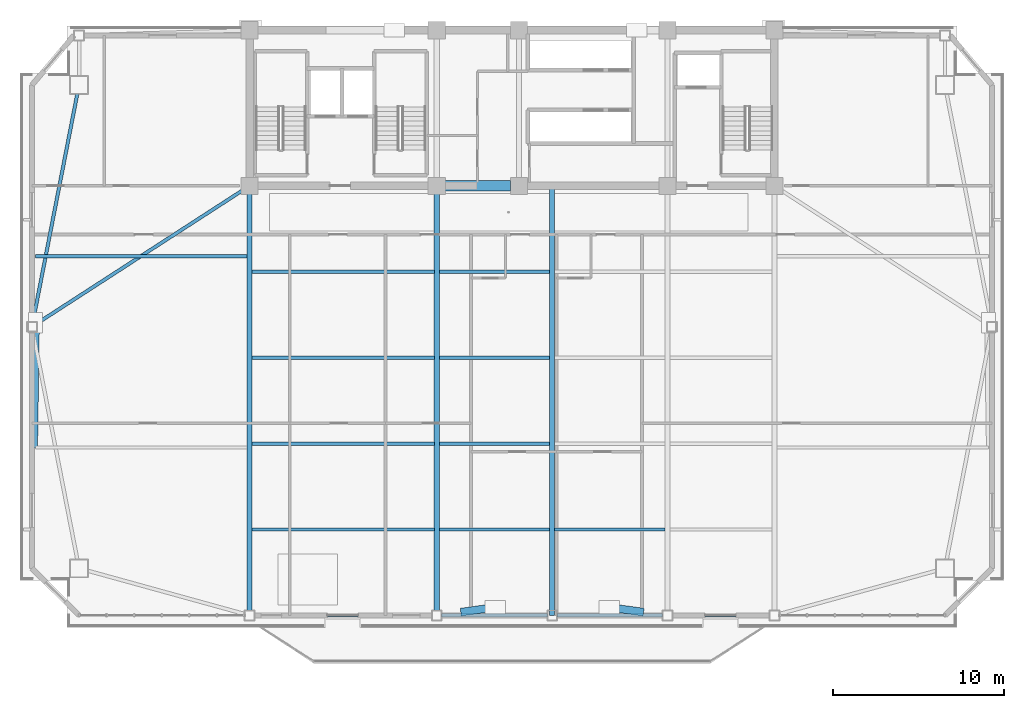
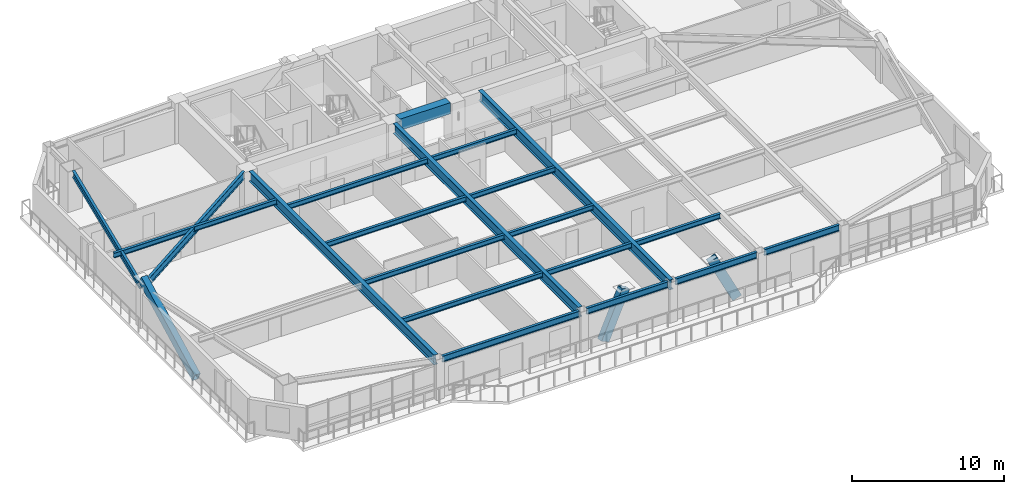
# One storey, part 3 of 17: 20 beams, 3 members.
"""IFC4 building model written with IfcOpenShell, lengths in metres."""

from ifc_helpers import new_model, si_unit, direction, frame, origin, origin_2d, place, context, subcontext, project, spatial, rectangle, hollow_rectangle, i_section, extrude, source, transform, mapped, material, material_profile, profile_set, type_object, element, save


model = new_model("IFC4")

# Units and contexts
model_context = context("Model", 3, precision=1e-05, world=origin(), true_north=direction((0.0, 1.0)))
body_context = subcontext(model_context, "Body", "Model", "MODEL_VIEW")
ifc_project = project(units=[si_unit("LENGTHUNIT", "METRE"), si_unit("AREAUNIT", "SQUARE_METRE"), si_unit("VOLUMEUNIT", "CUBIC_METRE"), si_unit("PLANEANGLEUNIT", "RADIAN"), si_unit("MASSUNIT", "GRAM", prefix="KILO")], contexts=[model_context])

# Site, building, storey
site_placement = place(None, origin())
site = spatial("IfcSite", under=ifc_project, at=site_placement, CompositionType="ELEMENT")
building_placement = place(site_placement, origin())
building = spatial("IfcBuilding", under=site, at=building_placement, Name="Giltprow Tower", CompositionType="ELEMENT")
storey_placement = place(building_placement, frame((0.0, 0.0, 216.699951171875)))
storey = spatial("IfcBuildingStorey", under=building, at=storey_placement, Name="L55", CompositionType="ELEMENT", Elevation=216.699951171875)

# Beams
ifc_material_1 = material(Name="Structural steel Q355B", Category="steel")
ifc_material_profile_1 = material_profile(ifc_material_1, i_section(OverallWidth=0.199951171875, OverallDepth=0.5, WebThickness=0.010009765625, FlangeThickness=0.01611328125, at=origin_2d()), Name="HN 500x200x10x16")
ifc_profile_set_1 = profile_set([ifc_material_profile_1], Name="Structural steel Q355B")
beam_type_1 = type_object("IfcBeamType", Name="BM-SPAN-HN500", PredefinedType="SPANDREL", material=ifc_profile_set_1)
shared_shape_1 = source(origin(), body_context, "Body", "SweptSolid", [
    extrude(i_section(OverallWidth=0.199951171875, OverallDepth=0.5, WebThickness=0.010009765625, FlangeThickness=0.01611328125, at=origin_2d()), origin(), (0.0, 0.0, 1.0), 5.679931640625),
])
beam_1_placement = place(storey_placement, frame((44.5849609375, 12.318115234375, 2.989990234375), z_axis=(1.0, 0.0, 0.0), x_axis=(0.0, 1.0, 0.0)))
element("IfcBeam", 1, at=beam_1_placement, inside=storey, type_object=beam_type_1, Name="L55 Perimeter Spandrel Beam S3-S4", PredefinedType="SPANDREL", context=body_context, shape_type="MappedRepresentation", body=[
    mapped(shared_shape_1, transform((0.0, 0.0, 0.0), x_axis=(1.0, 0.0, 0.0), y_axis=(0.0, 1.0, 0.0), z_axis=(0.0, 0.0, 1.0), scale=1.0)),
])
ifc_material_2 = material(Name="Concrete C50", Category="concrete")
ifc_material_profile_2 = material_profile(ifc_material_2, rectangle(XDim=0.60009765625, YDim=0.89990234375, at=origin_2d()), Name="RC 900x600")
ifc_profile_set_2 = profile_set([ifc_material_profile_2], Name="Concrete C50")
beam_type_2 = type_object("IfcBeamType", Name="BM-CPL-RC900", PredefinedType="LINTEL", material=ifc_profile_set_2)
shared_shape_2 = source(origin(), body_context, "Body", "SweptSolid", [
    extrude(rectangle(XDim=0.60009765625, YDim=0.89990234375, at=origin_2d()), origin(), (0.0, 0.0, 1.0), 3.830078125),
])
beam_2_placement = place(storey_placement, frame((31.284912109375, 37.449951171875, 2.7900390625), z_axis=(1.0, 0.0, 0.0), x_axis=(0.0, 1.0, 0.0)))
element("IfcBeam", 2, at=beam_2_placement, inside=storey, type_object=beam_type_2, Name="L55 Core Coupling Beam CB-1", PredefinedType="LINTEL", context=body_context, shape_type="MappedRepresentation", body=[
    mapped(shared_shape_2, transform((0.0, 0.0, 0.0), x_axis=(1.0, 0.0, 0.0), y_axis=(0.0, 1.0, 0.0), z_axis=(0.0, 0.0, 1.0), scale=1.0)),
])
shared_shape_3 = source(origin(), body_context, "Body", "SweptSolid", [
    extrude(i_section(OverallWidth=0.199951171875, OverallDepth=0.5, WebThickness=0.010009765625, FlangeThickness=0.01611328125, at=origin_2d()), origin(), (0.0, 0.0, 1.0), 10.3798828125),
])
beam_3_placement = place(storey_placement, frame((20.135009765625, 12.318115234375, 2.989990234375), z_axis=(1.0, 0.0, 0.0), x_axis=(0.0, 1.0, 0.0)))
element("IfcBeam", 3, at=beam_3_placement, inside=storey, type_object=beam_type_1, Name="L55 Perimeter Spandrel Beam S1-S2", PredefinedType="SPANDREL", context=body_context, shape_type="MappedRepresentation", body=[
    mapped(shared_shape_3, transform((0.0, 0.0, 0.0), x_axis=(1.0, 0.0, 0.0), y_axis=(0.0, 1.0, 0.0), z_axis=(0.0, 0.0, 1.0), scale=1.0)),
])
shared_shape_4 = source(origin(), body_context, "Body", "SweptSolid", [
    extrude(i_section(OverallWidth=0.199951171875, OverallDepth=0.5, WebThickness=0.010009765625, FlangeThickness=0.01611328125, at=origin_2d()), origin(), (0.0, 0.0, 1.0), 6.179931640625),
])
for number, where, z_axis, x_axis, name in (
    (4, (31.0849609375, 12.318115234375, 2.989990234375), (1.0, 0.0, 0.0), (0.0, 1.0, 0.0), "L55 Perimeter Spandrel Beam S2-S_MID"),
    (5, (37.8349609375, 12.318115234375, 2.989990234375), (1.0, 0.0, 0.0), (0.0, 1.0, 0.0), "L55 Perimeter Spandrel Beam S_MID-S3"),
):
    element("IfcBeam", number, at=place(storey_placement, frame(where, z_axis=z_axis, x_axis=x_axis)), inside=storey, type_object=beam_type_1, Name=name, PredefinedType="SPANDREL", context=body_context, shape_type="MappedRepresentation", body=[
        mapped(shared_shape_4, transform((0.0, 0.0, 0.0), x_axis=(1.0, 0.0, 0.0), y_axis=(0.0, 1.0, 0.0), z_axis=(0.0, 0.0, 1.0), scale=1.0)),
    ])
ifc_material_profile_3 = material_profile(ifc_material_1, i_section(OverallWidth=0.199951171875, OverallDepth=0.39990234375, WebThickness=0.008056640625, FlangeThickness=0.012939453125, at=origin_2d()), Name="HN 400x200x8x13")
ifc_profile_set_3 = profile_set([ifc_material_profile_3], Name="Structural steel Q355B")
beam_type_3 = type_object("IfcBeamType", Name="BM-JOIST-HN400", PredefinedType="JOIST", material=ifc_profile_set_3)
shared_shape_5 = source(origin(), body_context, "Body", "SweptSolid", [
    extrude(i_section(OverallWidth=0.199951171875, OverallDepth=0.39990234375, WebThickness=0.008056640625, FlangeThickness=0.012939453125, at=origin_2d()), origin(), (0.0, 0.0, 1.0), 10.659912109375),
])
for number, where, z_axis, x_axis, name in (
    (6, (19.9951171875, 17.343994140625, 3.0400390625), (1.0, 0.0, 0.0), (0.0, 1.0, 0.0), "L55 Composite Floor Joist 1-1"),
    (7, (19.9951171875, 22.37109375, 3.0400390625), (1.0, 0.0, 0.0), (0.0, 1.0, 0.0), "L55 Composite Floor Joist 2-1"),
    (8, (19.9951171875, 27.39697265625, 3.0400390625), (1.0, 0.0, 0.0), (0.0, 1.0, 0.0), "L55 Composite Floor Joist 3-1"),
    (9, (19.9951171875, 32.424072265625, 3.0400390625), (1.0, 0.0, 0.0), (0.0, 1.0, 0.0), "L55 Composite Floor Joist 4-1"),
):
    element("IfcBeam", number, at=place(storey_placement, frame(where, z_axis=z_axis, x_axis=x_axis)), inside=storey, type_object=beam_type_3, Name=name, PredefinedType="JOIST", context=body_context, shape_type="MappedRepresentation", body=[
        mapped(shared_shape_5, transform((0.0, 0.0, 0.0), x_axis=(1.0, 0.0, 0.0), y_axis=(0.0, 1.0, 0.0), z_axis=(0.0, 0.0, 1.0), scale=1.0)),
    ])
shared_shape_6 = source(origin(), body_context, "Body", "SweptSolid", [
    extrude(i_section(OverallWidth=0.199951171875, OverallDepth=0.39990234375, WebThickness=0.008056640625, FlangeThickness=0.012939453125, at=origin_2d()), origin(), (0.0, 0.0, 1.0), 6.4599609375),
])
for number, where, z_axis, x_axis, name in (
    (10, (30.945068359375, 17.343994140625, 3.0400390625), (1.0, 0.0, 0.0), (0.0, 1.0, 0.0), "L55 Composite Floor Joist 1-2"),
    (11, (37.695068359375, 17.343994140625, 3.0400390625), (1.0, 0.0, 0.0), (0.0, 1.0, 0.0), "L55 Composite Floor Joist 1-3"),
    (12, (30.945068359375, 22.37109375, 3.0400390625), (1.0, 0.0, 0.0), (0.0, 1.0, 0.0), "L55 Composite Floor Joist 2-2"),
    (13, (30.945068359375, 27.39697265625, 3.0400390625), (1.0, 0.0, 0.0), (0.0, 1.0, 0.0), "L55 Composite Floor Joist 3-2"),
    (14, (30.945068359375, 32.424072265625, 3.0400390625), (1.0, 0.0, 0.0), (0.0, 1.0, 0.0), "L55 Composite Floor Joist 4-2"),
):
    element("IfcBeam", number, at=place(storey_placement, frame(where, z_axis=z_axis, x_axis=x_axis)), inside=storey, type_object=beam_type_3, Name=name, PredefinedType="JOIST", context=body_context, shape_type="MappedRepresentation", body=[
        mapped(shared_shape_6, transform((0.0, 0.0, 0.0), x_axis=(1.0, 0.0, 0.0), y_axis=(0.0, 1.0, 0.0), z_axis=(0.0, 0.0, 1.0), scale=1.0)),
    ])
shared_shape_7 = source(origin(), body_context, "Body", "SweptSolid", [
    extrude(i_section(OverallWidth=0.199951171875, OverallDepth=0.5, WebThickness=0.010009765625, FlangeThickness=0.01611328125, at=origin_2d()), origin(), (0.0, 0.0, 1.0), 13.582763671875),
])
beam_4_placement = place(storey_placement, frame((9.77001953125, 42.821044921875, 2.989990234375), z_axis=(-0.19126414203, -0.981538602386, 0.0), x_axis=(0.981538602386, -0.19126414203, 0.0)))
element("IfcBeam", 15, at=beam_4_placement, inside=storey, type_object=beam_type_1, Name="L55 Perimeter Spandrel Beam MC_NW-W_MID", PredefinedType="SPANDREL", context=body_context, shape_type="MappedRepresentation", body=[
    mapped(shared_shape_7, transform((0.0, 0.0, 0.0), x_axis=(1.0, 0.0, 0.0), y_axis=(0.0, 1.0, 0.0), z_axis=(0.0, 0.0, 1.0), scale=1.0)),
])
ifc_material_profile_4 = material_profile(ifc_material_1, i_section(OverallWidth=0.300048828125, OverallDepth=0.800048828125, WebThickness=0.013916015625, FlangeThickness=0.02587890625, at=origin_2d()), Name="HN 800x300x14x26")
ifc_profile_set_4 = profile_set([ifc_material_profile_4], Name="Structural steel Q355B")
beam_type_4 = type_object("IfcBeamType", Name="BM-GIRD-HN800", PredefinedType="BEAM", material=ifc_profile_set_4)
shared_shape_8 = source(origin(), body_context, "Body", "SweptSolid", [
    extrude(i_section(OverallWidth=0.300048828125, OverallDepth=0.800048828125, WebThickness=0.013916015625, FlangeThickness=0.02587890625, at=origin_2d()), origin(), (0.0, 0.0, 1.0), 24.362060546875),
])
for number, where, z_axis, x_axis, name in (
    (16, (19.85009765625, 12.60302734375, 2.840087890625), (0.0, 1.0, 0.0), (-1.0, 0.0, 0.0), "L55 Primary Lease Girder S1"),
    (17, (30.800048828125, 12.60302734375, 2.840087890625), (0.0, 1.0, 0.0), (-1.0, 0.0, 0.0), "L55 Primary Lease Girder S2"),
):
    element("IfcBeam", number, at=place(storey_placement, frame(where, z_axis=z_axis, x_axis=x_axis)), inside=storey, type_object=beam_type_4, Name=name, PredefinedType="BEAM", context=body_context, shape_type="MappedRepresentation", body=[
        mapped(shared_shape_8, transform((0.0, 0.0, 0.0), x_axis=(1.0, 0.0, 0.0), y_axis=(0.0, 1.0, 0.0), z_axis=(0.0, 0.0, 1.0), scale=1.0)),
    ])
shared_shape_9 = source(origin(), body_context, "Body", "SweptSolid", [
    extrude(i_section(OverallWidth=0.300048828125, OverallDepth=0.800048828125, WebThickness=0.013916015625, FlangeThickness=0.02587890625, at=origin_2d()), origin(), (0.0, 0.0, 1.0), 25.1318359375),
])
beam_5_placement = place(storey_placement, frame((37.550048828125, 12.318115234375, 2.840087890625), z_axis=(0.0, 1.0, 0.0), x_axis=(-1.0, 0.0, 0.0)))
element("IfcBeam", 18, at=beam_5_placement, inside=storey, type_object=beam_type_4, Name="L55 Central Lease Girder SMID", PredefinedType="BEAM", context=body_context, shape_type="MappedRepresentation", body=[
    mapped(shared_shape_9, transform((0.0, 0.0, 0.0), x_axis=(1.0, 0.0, 0.0), y_axis=(0.0, 1.0, 0.0), z_axis=(0.0, 0.0, 1.0), scale=1.0)),
])
ifc_material_profile_5 = material_profile(ifc_material_1, i_section(OverallWidth=0.199951171875, OverallDepth=0.60009765625, WebThickness=0.010986328125, FlangeThickness=0.01708984375, at=origin_2d()), Name="HN 600x200x11x17")
ifc_profile_set_5 = profile_set([ifc_material_profile_5], Name="Structural steel Q355B")
beam_type_5 = type_object("IfcBeamType", Name="BM-GIRD-HN600", PredefinedType="BEAM", material=ifc_profile_set_5)
shared_shape_10 = source(origin(), body_context, "Body", "SweptSolid", [
    extrude(i_section(OverallWidth=0.199951171875, OverallDepth=0.60009765625, WebThickness=0.010986328125, FlangeThickness=0.01708984375, at=origin_2d()), origin(), (0.0, 0.0, 1.0), 14.396484375),
])
beam_6_placement = place(storey_placement, frame((7.35693359375, 29.364013671875, 2.93994140625), z_axis=(0.839521015988, 0.543327216063, 0.0), x_axis=(-0.543327216063, 0.839521015988, 0.0)))
element("IfcBeam", 19, at=beam_6_placement, inside=storey, type_object=beam_type_5, Name="L55 West Wing Primary Girder", PredefinedType="BEAM", context=body_context, shape_type="MappedRepresentation", body=[
    mapped(shared_shape_10, transform((0.0, 0.0, 0.0), x_axis=(1.0, 0.0, 0.0), y_axis=(0.0, 1.0, 0.0), z_axis=(0.0, 0.0, 1.0), scale=1.0)),
])
shared_shape_11 = source(origin(), body_context, "Body", "SweptSolid", [
    extrude(i_section(OverallWidth=0.199951171875, OverallDepth=0.39990234375, WebThickness=0.008056640625, FlangeThickness=0.012939453125, at=origin_2d()), origin(), (0.0, 0.0, 1.0), 12.3671875),
])
beam_7_placement = place(storey_placement, frame((7.337890625, 33.330078125, 3.0400390625), z_axis=(1.0, 0.0, 0.0), x_axis=(0.0, 1.0, 0.0)))
element("IfcBeam", 20, at=beam_7_placement, inside=storey, type_object=beam_type_3, Name="L55 West Wing Floor Joist 2", PredefinedType="JOIST", context=body_context, shape_type="MappedRepresentation", body=[
    mapped(shared_shape_11, transform((0.0, 0.0, 0.0), x_axis=(1.0, 0.0, 0.0), y_axis=(0.0, 1.0, 0.0), z_axis=(0.0, 0.0, 1.0), scale=1.0)),
])

# Members
ifc_material_3 = material(Name="Structural steel Q420GJC", Category="steel")
ifc_material_profile_6 = material_profile(ifc_material_3, hollow_rectangle(XDim=0.449951171875, YDim=0.699951171875, WallThickness=0.031982421875, at=origin_2d()), Name="RHS 700x450x32")
ifc_profile_set_6 = profile_set([ifc_material_profile_6], Name="Structural steel Q420GJC")
member_type = type_object("IfcMemberType", Name="MBR-MEGA-RHS700", PredefinedType="BRACE", material=ifc_profile_set_6)
shared_shape_12 = source(origin(), body_context, "Body", "SweptSolid", [
    extrude(hollow_rectangle(XDim=0.449951171875, YDim=0.699951171875, WallThickness=0.031982421875, at=origin_2d()), origin(), (0.0, 0.0, 1.0), 3.9033203125),
])
member_1_placement = place(storey_placement, frame((42.587890625, 12.553955078125, 0.0), z_axis=(-0.438565434275, 0.060731180359, 0.896644903845), x_axis=(-0.137167985404, -0.990547799846, 0.0)))
element("IfcMember", 21, at=member_1_placement, inside=storey, type_object=member_type, Name="L55 Chevron Mega-Brace S-R", PredefinedType="BRACE", context=body_context, shape_type="MappedRepresentation", body=[
    mapped(shared_shape_12, transform((0.0, 0.0, 0.0), x_axis=(1.0, 0.0, 0.0), y_axis=(0.0, 1.0, 0.0), z_axis=(0.0, 0.0, 1.0), scale=1.0)),
])
shared_shape_13 = source(origin(), body_context, "Body", "SweptSolid", [
    extrude(hollow_rectangle(XDim=0.449951171875, YDim=0.699951171875, WallThickness=0.031982421875, at=origin_2d()), origin(), (0.0, 0.0, 1.0), 3.903564453125),
])
member_2_placement = place(storey_placement, frame((32.511962890625, 12.553955078125, 0.0), z_axis=(0.438615947301, 0.060729514449, 0.896620308072), x_axis=(-0.13714879423, 0.990550457191, 0.0)))
element("IfcMember", 22, at=member_2_placement, inside=storey, type_object=member_type, Name="L55 Chevron Mega-Brace S-L", PredefinedType="BRACE", context=body_context, shape_type="MappedRepresentation", body=[
    mapped(shared_shape_13, transform((0.0, 0.0, 0.0), x_axis=(1.0, 0.0, 0.0), y_axis=(0.0, 1.0, 0.0), z_axis=(0.0, 0.0, 1.0), scale=1.0)),
])
shared_shape_14 = source(origin(), body_context, "Body", "SweptSolid", [
    extrude(hollow_rectangle(XDim=0.449951171875, YDim=0.699951171875, WallThickness=0.031982421875, at=origin_2d()), origin(), (0.0, 0.0, 1.0), 7.9912109375),
])
member_3_placement = place(storey_placement, frame((7.222900390625, 22.2548828125, 0.0), z_axis=(0.013289868718, 0.898883948095, 0.43798519067), x_axis=(-0.999890721948, 0.01478323921, 0.0)))
element("IfcMember", 23, at=member_3_placement, inside=storey, type_object=member_type, Name="L55 Chevron Mega-Brace W-D", PredefinedType="BRACE", context=body_context, shape_type="MappedRepresentation", body=[
    mapped(shared_shape_14, transform((0.0, 0.0, 0.0), x_axis=(1.0, 0.0, 0.0), y_axis=(0.0, 1.0, 0.0), z_axis=(0.0, 0.0, 1.0), scale=1.0)),
])

save(model, "model.ifc")
